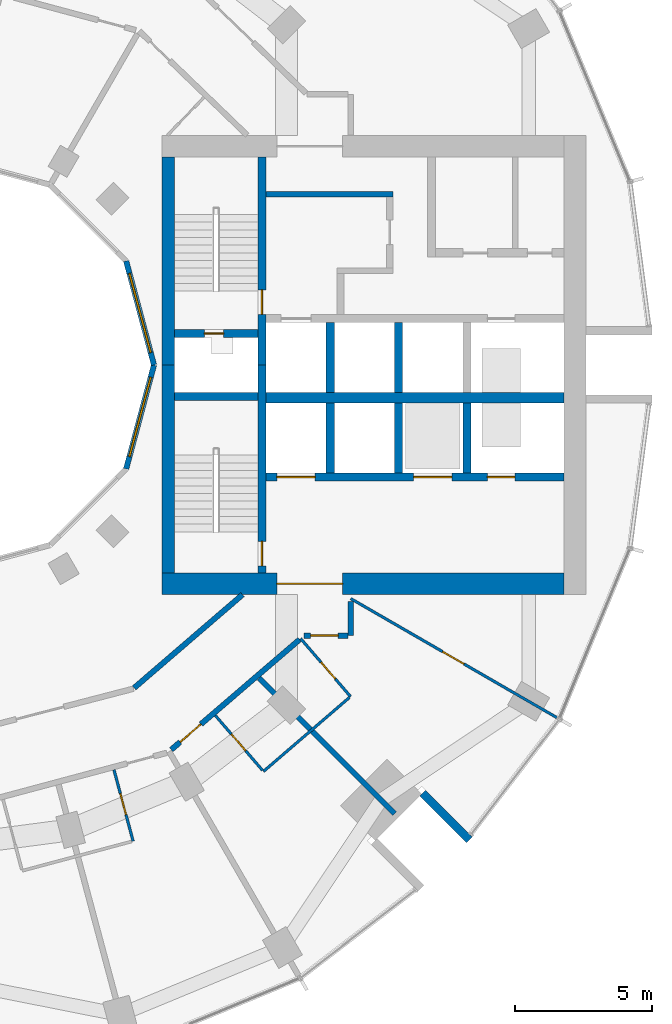
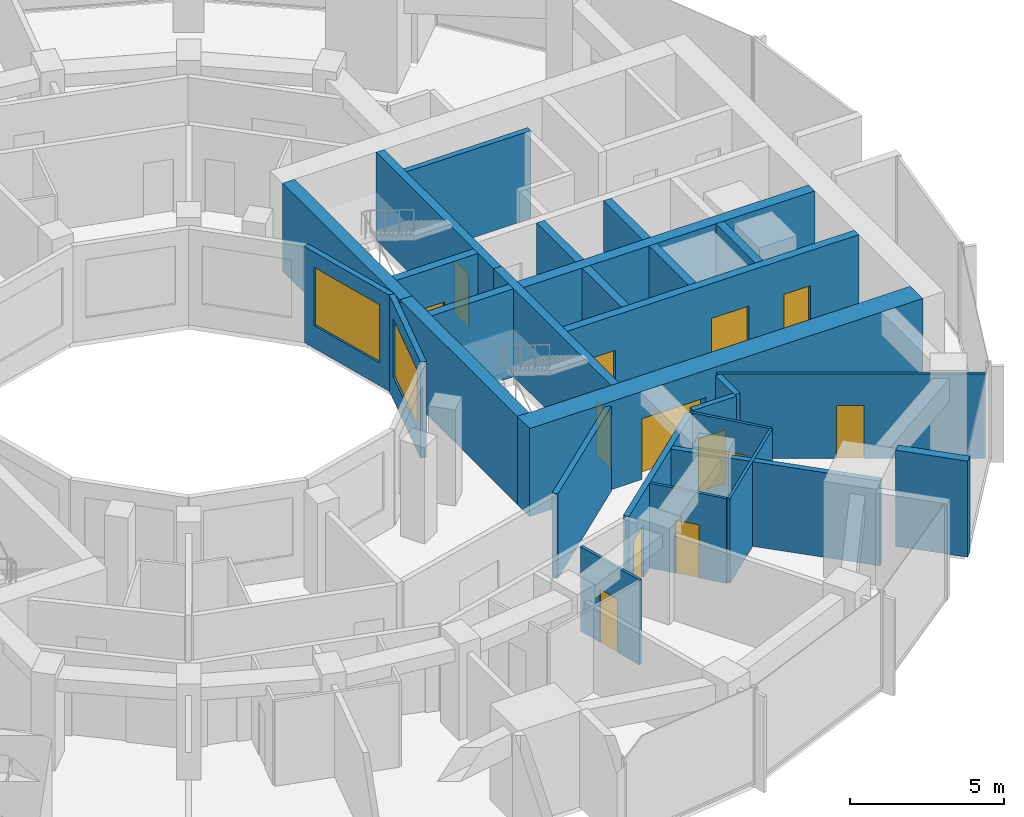
# One storey, part 10 of 15: 28 walls, 13 doors, 2 windows, 15 openings.
"""IFC4 building model written with IfcOpenShell, lengths in metres."""

from ifc_helpers import new_model, si_unit, direction, frame, frame_2d, origin, place, context, subcontext, project, spatial, rectangle, extrude, material, layer, layer_set, type_object, element, fill, save


model = new_model("IFC4")

# Units and contexts
model_context = context("Model", 3, precision=1e-05, world=origin(), true_north=direction((0.0, 1.0)))
body_context = subcontext(model_context, "Body", "Model", "MODEL_VIEW")
ifc_project = project(units=[si_unit("LENGTHUNIT", "METRE"), si_unit("AREAUNIT", "SQUARE_METRE"), si_unit("VOLUMEUNIT", "CUBIC_METRE"), si_unit("PLANEANGLEUNIT", "RADIAN"), si_unit("MASSUNIT", "GRAM", prefix="KILO")], contexts=[model_context])

# Site, building, storey
site_placement = place(None, origin())
site = spatial("IfcSite", under=ifc_project, at=site_placement, CompositionType="ELEMENT")
building_placement = place(site_placement, origin())
building = spatial("IfcBuilding", under=site, at=building_placement, Name="Torre Brocal", CompositionType="ELEMENT")
storey_placement = place(building_placement, frame((0.0, 0.0, 66.800048828125)))
storey = spatial("IfcBuildingStorey", under=building, at=storey_placement, Name="L15", CompositionType="ELEMENT", Elevation=66.800048828125)

# Wall
ifc_material_1 = material(Name="Concrete C80", Category="concrete")
ifc_layer_1 = layer(ifc_material_1, 0.199951171875)
ifc_layer_set_1 = layer_set([ifc_layer_1], Name="Concrete C80")
wall_type_1 = type_object("IfcWallType", Name="CORE WALL 200 C80", PredefinedType="SHEAR", material=ifc_layer_set_1)
wall_1_placement = place(storey_placement, frame((91.699951171875, 81.25, 0.0), z_axis=(0.0, 0.0, 1.0), x_axis=(1.0, 0.0, 0.0)))
element("IfcWall", 1, at=wall_1_placement, inside=storey, type_object=wall_type_1, Name="Wall CW200-80", PredefinedType="SHEAR", context=body_context, shape_type="SweptSolid", body=[
    extrude(rectangle(XDim=4.650146484375, YDim=0.199951171875, at=frame_2d((2.3251953125, 0.0))), origin(), (0.0, 0.0, 1.0), 3.47998046875),
])

# Wall, opening, door
ifc_material_2 = material(Name="Concrete C80", Category="concrete")
ifc_layer_2 = layer(ifc_material_2, 0.300048828125)
ifc_layer_set_2 = layer_set([ifc_layer_2], Name="Concrete C80")
wall_type_2 = type_object("IfcWallType", Name="CORE WALL 300 C80", PredefinedType="SHEAR", material=ifc_layer_set_2)
wall_2_placement = place(storey_placement, frame((91.550048828125, 75.0, 0.0), z_axis=(0.0, 0.0, 1.0), x_axis=(0.0, 1.0, 0.0)))
wall_2 = element("IfcWall", 2, at=wall_2_placement, inside=storey, type_object=wall_type_2, Name="Wall CW300-80", PredefinedType="SHEAR", context=body_context, shape_type="SweptSolid", body=[
    extrude(rectangle(XDim=7.60009765625, YDim=0.300048828125, at=frame_2d((3.800048828125, 0.0))), origin(), (0.0, 0.0, 1.0), 3.47998046875),
])
opening_1_placement = place(wall_2_placement, frame((1.85009765625, 0.0, 0.0)))
opening_1 = element("IfcOpeningElement", 3, at=opening_1_placement, cuts=wall_2, Name="Opening E-D02", PredefinedType="OPENING", context=body_context, shape_type="SweptSolid", body=[
    extrude(rectangle(XDim=0.89990234375, YDim=2.10009765625, at=frame_2d((0.449951171875, 1.050048828125))), frame((0.0, 0.159912109375, 0.0), z_axis=(0.0, -1.0, 0.0), x_axis=(1.0, 0.0, 0.0)), (0.0, 0.0, 1.0), 0.320068359375),
])
ifc_material_3 = material(Name="Steel A653", Category="steel")
door_type_1 = type_object("IfcDoorType", Name="STAIR DOOR FD120 900X2100", OperationType="SINGLE_SWING_RIGHT", PredefinedType="DOOR", material=ifc_material_3)
door_1_placement = place(opening_1_placement, origin())
door_1 = element("IfcDoor", 4, at=door_1_placement, inside=storey, type_object=door_type_1, Name="Door E-D02", OperationType="SINGLE_SWING_LEFT", OverallHeight=2.10009765625, OverallWidth=0.89990234375, PredefinedType="DOOR", context=body_context, shape_type="SweptSolid", body=[
    extrude(rectangle(XDim=0.89990234375, YDim=2.10009765625, at=frame_2d((0.449951171875, 1.050048828125))), frame((0.0, 0.02490234375, 0.0), z_axis=(0.0, -1.0, 0.0), x_axis=(1.0, 0.0, 0.0)), (0.0, 0.0, 1.0), 0.050048828125),
])
fill(opening_1, door_1)

wall_3_placement = place(storey_placement, frame((91.550048828125, 67.39990234375, 0.0), z_axis=(0.0, 0.0, 1.0), x_axis=(0.0, 1.0, 0.0)))
wall_3 = element("IfcWall", 5, at=wall_3_placement, inside=storey, type_object=wall_type_2, Name="Wall CW300-80", PredefinedType="SHEAR", context=body_context, shape_type="SweptSolid", body=[
    extrude(rectangle(XDim=7.60009765625, YDim=0.300048828125, at=frame_2d((3.800048828125, 0.0))), origin(), (0.0, 0.0, 1.0), 3.47998046875),
])
opening_2_placement = place(wall_3_placement, frame((0.25, 0.0, 0.0)))
opening_2 = element("IfcOpeningElement", 6, at=opening_2_placement, cuts=wall_3, Name="Opening E-D03", PredefinedType="OPENING", context=body_context, shape_type="SweptSolid", body=[
    extrude(rectangle(XDim=0.89990234375, YDim=2.10009765625, at=frame_2d((0.449951171875, 1.050048828125))), frame((0.0, 0.159912109375, 0.0), z_axis=(0.0, -1.0, 0.0), x_axis=(1.0, 0.0, 0.0)), (0.0, 0.0, 1.0), 0.320068359375),
])
door_2_placement = place(opening_2_placement, origin())
door_2 = element("IfcDoor", 7, at=door_2_placement, inside=storey, type_object=door_type_1, Name="Door E-D03", OperationType="SINGLE_SWING_LEFT", OverallHeight=2.10009765625, OverallWidth=0.89990234375, PredefinedType="DOOR", context=body_context, shape_type="SweptSolid", body=[
    extrude(rectangle(XDim=0.89990234375, YDim=2.10009765625, at=frame_2d((0.449951171875, 1.050048828125))), frame((0.0, 0.02490234375, 0.0), z_axis=(0.0, -1.0, 0.0), x_axis=(1.0, 0.0, 0.0)), (0.0, 0.0, 1.0), 0.050048828125),
])
fill(opening_2, door_2)

wall_4_placement = place(storey_placement, frame((88.35009765625, 76.14990234375, 0.0), z_axis=(0.0, 0.0, 1.0), x_axis=(1.0, 0.0, 0.0)))
wall_4 = element("IfcWall", 8, at=wall_4_placement, inside=storey, type_object=wall_type_2, Name="Wall CW300-80", PredefinedType="SHEAR", context=body_context, shape_type="SweptSolid", body=[
    extrude(rectangle(XDim=3.0498046875, YDim=0.300048828125, at=frame_2d((1.52490234375, 0.0))), origin(), (0.0, 0.0, 1.0), 3.47998046875),
])
opening_3_placement = place(wall_4_placement, frame((1.10009765625, 0.0, 0.0)))
opening_3 = element("IfcOpeningElement", 9, at=opening_3_placement, cuts=wall_4, Name="Opening E-D01", PredefinedType="OPENING", context=body_context, shape_type="SweptSolid", body=[
    extrude(rectangle(XDim=0.699951171875, YDim=2.0, at=frame_2d((0.35009765625, 1.0))), frame((0.0, 0.159912109375, 0.0), z_axis=(0.0, -1.0, 0.0), x_axis=(1.0, 0.0, 0.0)), (0.0, 0.0, 1.0), 0.320068359375),
])
ifc_material_4 = material(Name="Steel A653", Category="steel")
door_type_2 = type_object("IfcDoorType", Name="RISER DOOR FD120 700X2000", OperationType="SINGLE_SWING_LEFT", PredefinedType="DOOR", material=ifc_material_4)
door_3_placement = place(opening_3_placement, frame((0.699951171875, 0.0, 0.0), z_axis=(0.0, 0.0, 1.0), x_axis=(-1.0, 0.0, 0.0)))
door_3 = element("IfcDoor", 10, at=door_3_placement, inside=storey, type_object=door_type_2, Name="Door E-D01", OperationType="SINGLE_SWING_RIGHT", OverallHeight=2.0, OverallWidth=0.699951171875, PredefinedType="DOOR", context=body_context, shape_type="SweptSolid", body=[
    extrude(rectangle(XDim=0.699951171875, YDim=2.0, at=frame_2d((0.35009765625, 1.0))), frame((0.0, 0.02490234375, 0.0), z_axis=(0.0, -1.0, 0.0), x_axis=(1.0, 0.0, 0.0)), (0.0, 0.0, 1.0), 0.050048828125),
])
fill(opening_3, door_3)

# Wall
wall_5_placement = place(storey_placement, frame((88.35009765625, 73.85009765625, 0.0), z_axis=(0.0, 0.0, 1.0), x_axis=(1.0, 0.0, 0.0)))
element("IfcWall", 11, at=wall_5_placement, inside=storey, type_object=wall_type_2, Name="Wall CW300-80", PredefinedType="SHEAR", context=body_context, shape_type="SweptSolid", body=[
    extrude(rectangle(XDim=3.0498046875, YDim=0.300048828125, at=frame_2d((1.52490234375, 0.0))), origin(), (0.0, 0.0, 1.0), 3.47998046875),
])

# Wall, openings, doors
wall_6_placement = place(storey_placement, frame((91.699951171875, 70.89990234375, 0.0), z_axis=(0.0, 0.0, 1.0), x_axis=(1.0, 0.0, 0.0)))
wall_6 = element("IfcWall", 12, at=wall_6_placement, inside=storey, type_object=wall_type_2, Name="Wall CW300-80", PredefinedType="SHEAR", context=body_context, shape_type="SweptSolid", body=[
    extrude(rectangle(XDim=10.900146484375, YDim=0.300048828125, at=frame_2d((5.4501953125, 0.0))), origin(), (0.0, 0.0, 1.0), 3.47998046875),
])
opening_4_placement = place(wall_6_placement, frame((0.39990234375, 0.0, 0.0)))
opening_4 = element("IfcOpeningElement", 13, at=opening_4_placement, cuts=wall_6, Name="Opening LD14", PredefinedType="OPENING", context=body_context, shape_type="SweptSolid", body=[
    extrude(rectangle(XDim=1.39990234375, YDim=2.10009765625, at=frame_2d((0.699951171875, 1.050048828125))), frame((0.0, 0.159912109375, 0.0), z_axis=(0.0, -1.0, 0.0), x_axis=(1.0, 0.0, 0.0)), (0.0, 0.0, 1.0), 0.320068359375),
])
opening_5_placement = place(wall_6_placement, frame((5.39990234375, 0.0, 0.0)))
opening_5 = element("IfcOpeningElement", 14, at=opening_5_placement, cuts=wall_6, Name="Opening LD14", PredefinedType="OPENING", context=body_context, shape_type="SweptSolid", body=[
    extrude(rectangle(XDim=1.39990234375, YDim=2.10009765625, at=frame_2d((0.699951171875, 1.050048828125))), frame((0.0, 0.159912109375, 0.0), z_axis=(0.0, -1.0, 0.0), x_axis=(1.0, 0.0, 0.0)), (0.0, 0.0, 1.0), 0.320068359375),
])
opening_6_placement = place(wall_6_placement, frame((8.10009765625, 0.0, 0.0)))
opening_6 = element("IfcOpeningElement", 15, at=opening_6_placement, cuts=wall_6, Name="Opening LD10", PredefinedType="OPENING", context=body_context, shape_type="SweptSolid", body=[
    extrude(rectangle(XDim=1.0, YDim=2.10009765625, at=frame_2d((0.5, 1.050048828125))), frame((0.0, 0.159912109375, 0.0), z_axis=(0.0, -1.0, 0.0), x_axis=(1.0, 0.0, 0.0)), (0.0, 0.0, 1.0), 0.320068359375),
])
ifc_material_5 = material(Name="Stainless steel AISI 316", Category="steel")
door_type_3 = type_object("IfcDoorType", Name="LIFT LANDING DOOR 1000X2100", OperationType="DOUBLE_DOOR_SLIDING", PredefinedType="DOOR", material=ifc_material_5)
door_4_placement = place(opening_6_placement, origin())
door_4 = element("IfcDoor", 16, at=door_4_placement, inside=storey, type_object=door_type_3, Name="Door LD10", OperationType="DOUBLE_DOOR_SLIDING", OverallHeight=2.10009765625, OverallWidth=1.0, PredefinedType="DOOR", context=body_context, shape_type="SweptSolid", body=[
    extrude(rectangle(XDim=1.0, YDim=2.10009765625, at=frame_2d((0.5, 1.050048828125))), frame((0.0, 0.02490234375, 0.0), z_axis=(0.0, -1.0, 0.0), x_axis=(1.0, 0.0, 0.0)), (0.0, 0.0, 1.0), 0.050048828125),
])
fill(opening_6, door_4)
ifc_material_6 = material(Name="Stainless steel AISI 316", Category="steel")
door_type_4 = type_object("IfcDoorType", Name="LIFT LANDING DOOR 1400X2100", OperationType="DOUBLE_DOOR_SLIDING", PredefinedType="DOOR", material=ifc_material_6)
door_5_placement = place(opening_4_placement, origin())
door_5 = element("IfcDoor", 17, at=door_5_placement, inside=storey, type_object=door_type_4, Name="Door LD14", OperationType="DOUBLE_DOOR_SLIDING", OverallHeight=2.10009765625, OverallWidth=1.39990234375, PredefinedType="DOOR", context=body_context, shape_type="SweptSolid", body=[
    extrude(rectangle(XDim=1.39990234375, YDim=2.10009765625, at=frame_2d((0.699951171875, 1.050048828125))), frame((0.0, 0.02490234375, 0.0), z_axis=(0.0, -1.0, 0.0), x_axis=(1.0, 0.0, 0.0)), (0.0, 0.0, 1.0), 0.050048828125),
])
fill(opening_4, door_5)
door_6_placement = place(opening_5_placement, origin())
door_6 = element("IfcDoor", 18, at=door_6_placement, inside=storey, type_object=door_type_4, Name="Door LD14", OperationType="DOUBLE_DOOR_SLIDING", OverallHeight=2.10009765625, OverallWidth=1.39990234375, PredefinedType="DOOR", context=body_context, shape_type="SweptSolid", body=[
    extrude(rectangle(XDim=1.39990234375, YDim=2.10009765625, at=frame_2d((0.699951171875, 1.050048828125))), frame((0.0, 0.02490234375, 0.0), z_axis=(0.0, -1.0, 0.0), x_axis=(1.0, 0.0, 0.0)), (0.0, 0.0, 1.0), 0.050048828125),
])
fill(opening_5, door_6)

# Walls
for number, where, z_axis, x_axis, name in (
    (19, (94.050048828125, 74.0, 0.0), (0.0, 0.0, 1.0), (0.0, 1.0, 0.0), "Wall CW300-80"),
    (20, (96.550048828125, 74.0, 0.0), (0.0, 0.0, 1.0), (0.0, 1.0, 0.0), "Wall CW300-80"),
    (21, (94.050048828125, 71.050048828125, 0.0), (0.0, 0.0, 1.0), (0.0, 1.0, 0.0), "Wall CW300-80"),
    (22, (96.550048828125, 71.050048828125, 0.0), (0.0, 0.0, 1.0), (0.0, 1.0, 0.0), "Wall CW300-80"),
    (23, (99.050048828125, 71.050048828125, 0.0), (0.0, 0.0, 1.0), (0.0, 1.0, 0.0), "Wall CW300-80"),
):
    element("IfcWall", number, at=place(storey_placement, frame(where, z_axis=z_axis, x_axis=x_axis)), inside=storey, type_object=wall_type_2, Name=name, PredefinedType="SHEAR", context=body_context, shape_type="SweptSolid", body=[
        extrude(rectangle(XDim=2.550048828125, YDim=0.300048828125, at=frame_2d((1.27490234375, 0.0))), origin(), (0.0, 0.0, 1.0), 3.47998046875),
    ])
ifc_material_7 = material(Name="Concrete C80", Category="concrete")
ifc_layer_3 = layer(ifc_material_7, 0.39990234375)
ifc_layer_set_3 = layer_set([ifc_layer_3], Name="Concrete C80")
wall_type_3 = type_object("IfcWallType", Name="CORE WALL 400 C80", PredefinedType="SHEAR", material=ifc_layer_set_3)
wall_7_placement = place(storey_placement, frame((91.699951171875, 73.800048828125, 0.0), z_axis=(0.0, 0.0, 1.0), x_axis=(1.0, 0.0, 0.0)))
element("IfcWall", 24, at=wall_7_placement, inside=storey, type_object=wall_type_3, Name="Wall CW400-80", PredefinedType="SHEAR", context=body_context, shape_type="SweptSolid", body=[
    extrude(rectangle(XDim=10.900146484375, YDim=0.39990234375, at=frame_2d((5.4501953125, 0.0))), origin(), (0.0, 0.0, 1.0), 3.47998046875),
])
ifc_material_8 = material(Name="Concrete C80", Category="concrete")
ifc_layer_4 = layer(ifc_material_8, 0.449951171875)
ifc_layer_set_4 = layer_set([ifc_layer_4], Name="Concrete C80")
wall_type_4 = type_object("IfcWallType", Name="CORE WALL 450 C80", PredefinedType="SHEAR", material=ifc_layer_set_4)
for number, where, z_axis, x_axis, name in (
    (25, (88.125, 75.0, 0.0), (0.0, 0.0, 1.0), (0.0, 1.0, 0.0), "Wall CW450-80"),
    (26, (88.125, 67.39990234375, 0.0), (0.0, 0.0, 1.0), (0.0, 1.0, 0.0), "Wall CW450-80"),
):
    element("IfcWall", number, at=place(storey_placement, frame(where, z_axis=z_axis, x_axis=x_axis)), inside=storey, type_object=wall_type_4, Name=name, PredefinedType="SHEAR", context=body_context, shape_type="SweptSolid", body=[
        extrude(rectangle(XDim=7.60009765625, YDim=0.449951171875, at=frame_2d((3.800048828125, 0.0))), origin(), (0.0, 0.0, 1.0), 3.47998046875),
    ])

# Wall, opening, door
ifc_material_9 = material(Name="Concrete C80", Category="concrete")
ifc_layer_5 = layer(ifc_material_9, 0.800048828125)
ifc_layer_set_5 = layer_set([ifc_layer_5], Name="Concrete C80")
wall_type_5 = type_object("IfcWallType", Name="CORE WALL 800 C80", PredefinedType="SHEAR", material=ifc_layer_set_5)
wall_8_placement = place(storey_placement, frame((87.89990234375, 67.0, 0.0), z_axis=(0.0, 0.0, 1.0), x_axis=(1.0, 0.0, 0.0)))
wall_8 = element("IfcWall", 27, at=wall_8_placement, inside=storey, type_object=wall_type_5, Name="Wall CW800-80", PredefinedType="SHEAR", context=body_context, shape_type="SweptSolid", body=[
    extrude(rectangle(XDim=14.7001953125, YDim=0.800048828125, at=frame_2d((7.35009765625, 0.0))), origin(), (0.0, 0.0, 1.0), 3.47998046875),
])
opening_7_placement = place(wall_8_placement, frame((4.199951171875, 0.0, 0.0)))
opening_7 = element("IfcOpeningElement", 28, at=opening_7_placement, cuts=wall_8, Name="Opening E-D27", PredefinedType="OPENING", context=body_context, shape_type="SweptSolid", body=[
    extrude(rectangle(XDim=2.39990234375, YDim=2.39990234375, at=frame_2d((1.199951171875, 1.199951171875))), frame((0.0, 0.409912109375, 0.0), z_axis=(0.0, -1.0, 0.0), x_axis=(1.0, 0.0, 0.0)), (0.0, 0.0, 1.0), 0.820068359375),
])
ifc_material_10 = material(Name="Steel A653", Category="steel")
door_type_5 = type_object("IfcDoorType", Name="DOUBLE FIRE DOOR FD90 2400X2400", OperationType="DOUBLE_DOOR_SINGLE_SWING", PredefinedType="DOOR", material=ifc_material_10)
door_7_placement = place(opening_7_placement, origin())
door_7 = element("IfcDoor", 29, at=door_7_placement, inside=storey, type_object=door_type_5, Name="Door E-D27", OperationType="DOUBLE_DOOR_SINGLE_SWING", OverallHeight=2.39990234375, OverallWidth=2.39990234375, PredefinedType="DOOR", context=body_context, shape_type="SweptSolid", body=[
    extrude(rectangle(XDim=2.39990234375, YDim=2.39990234375, at=frame_2d((1.199951171875, 1.199951171875))), frame((0.0, 0.02490234375, 0.0), z_axis=(0.0, -1.0, 0.0), x_axis=(1.0, 0.0, 0.0)), (0.0, 0.0, 1.0), 0.050048828125),
])
fill(opening_7, door_7)

# Wall
ifc_material_11 = material(Name="Concrete C80", Category="concrete")
ifc_layer_6 = layer(ifc_material_11, 0.300048828125)
ifc_layer_set_6 = layer_set([ifc_layer_6], Name="Concrete C80")
wall_type_6 = type_object("IfcWallType", Name="NOTCH RETURN WALL 300 C80", PredefinedType="NOTDEFINED", material=ifc_layer_set_6)
wall_9_placement = place(storey_placement, frame((97.43017578125, 59.337646484375, 0.0), z_axis=(0.0, 0.0, 1.0), x_axis=(0.707106781187, -0.707106781187, 0.0)))
element("IfcWall", 30, at=wall_9_placement, inside=storey, type_object=wall_type_6, Name="NOTCH RETURN WALL", PredefinedType="NOTDEFINED", context=body_context, shape_type="SweptSolid", body=[
    extrude(rectangle(XDim=2.415771484375, YDim=0.300048828125, at=frame_2d((1.2080078125, 0.0))), origin(), (0.0, 0.0, 1.0), 3.800048828125),
])

# Wall, opening, door
ifc_material_12 = material(Name="Gypsum board", Category="Gypsum")
ifc_layer_7 = layer(ifc_material_12, 0.10009765625)
ifc_layer_set_7 = layer_set([ifc_layer_7], Name="Gypsum board")
wall_type_7 = type_object("IfcWallType", Name="PARTITION 100", PredefinedType="PARTITIONING", material=ifc_layer_set_7)
wall_10_placement = place(storey_placement, frame((86.139892578125, 60.196044921875, 0.0), z_axis=(0.0, 0.0, 1.0), x_axis=(0.258945475746, -0.965891940432, 0.0)))
wall_10 = element("IfcWall", 31, at=wall_10_placement, inside=storey, type_object=wall_type_7, Name="BATHROOM WALL", PredefinedType="PARTITIONING", context=body_context, shape_type="SweptSolid", body=[
    extrude(rectangle(XDim=2.7001953125, YDim=0.10009765625, at=frame_2d((1.35009765625, 0.0))), origin(), (0.0, 0.0, 1.0), 3.349853515625),
])
opening_8_placement = place(wall_10_placement, frame((0.89990234375, 0.0, 0.0)))
opening_8 = element("IfcOpeningElement", 32, at=opening_8_placement, cuts=wall_10, Name="Opening H04-D26", PredefinedType="OPENING", context=body_context, shape_type="SweptSolid", body=[
    extrude(rectangle(XDim=0.800048828125, YDim=2.10009765625, at=frame_2d((0.39990234375, 1.050048828125))), frame((0.0, 0.06005859375, 0.0), z_axis=(0.0, -1.0, 0.0), x_axis=(1.0, 0.0, 0.0)), (0.0, 0.0, 1.0), 0.1201171875),
])
ifc_material_13 = material(Name="Timber", Category="wood")
door_type_6 = type_object("IfcDoorType", Name="BATHROOM DOOR 800X2100", OperationType="SINGLE_SWING_LEFT", PredefinedType="DOOR", material=ifc_material_13)
door_8_placement = place(opening_8_placement, frame((0.800048828125, 0.0, 0.0), z_axis=(0.0, 0.0, 1.0), x_axis=(-1.0, 0.0, 0.0)))
door_8 = element("IfcDoor", 33, at=door_8_placement, inside=storey, type_object=door_type_6, Name="H04-D26", OperationType="SINGLE_SWING_RIGHT", OverallHeight=2.10009765625, OverallWidth=0.800048828125, PredefinedType="DOOR", context=body_context, shape_type="SweptSolid", body=[
    extrude(rectangle(XDim=0.800048828125, YDim=2.10009765625, at=frame_2d((0.39990234375, 1.050048828125))), frame((0.0, 0.02490234375, 0.0), z_axis=(0.0, -1.0, 0.0), x_axis=(1.0, 0.0, 0.0)), (0.0, 0.0, 1.0), 0.050048828125),
])
fill(opening_8, door_8)

wall_11_placement = place(storey_placement, frame((89.846435546875, 62.181884765625, 0.0), z_axis=(0.0, 0.0, 1.0), x_axis=(0.652095405055, -0.758136915541, 0.0)))
wall_11 = element("IfcWall", 34, at=wall_11_placement, inside=storey, type_object=wall_type_7, Name="BATHROOM WALL", PredefinedType="PARTITIONING", context=body_context, shape_type="SweptSolid", body=[
    extrude(rectangle(XDim=2.64990234375, YDim=0.10009765625, at=frame_2d((1.324951171875, 0.0))), origin(), (0.0, 0.0, 1.0), 3.349853515625),
])
opening_9_placement = place(wall_11_placement, frame((0.899658203125, 0.0, 0.0)))
opening_9 = element("IfcOpeningElement", 35, at=opening_9_placement, cuts=wall_11, Name="Opening H04-D24", PredefinedType="OPENING", context=body_context, shape_type="SweptSolid", body=[
    extrude(rectangle(XDim=0.800048828125, YDim=2.10009765625, at=frame_2d((0.39990234375, 1.050048828125))), frame((0.0, 0.06005859375, 0.0), z_axis=(0.0, -1.0, 0.0), x_axis=(1.0, 0.0, 0.0)), (0.0, 0.0, 1.0), 0.1201171875),
])
door_9_placement = place(opening_9_placement, origin())
door_9 = element("IfcDoor", 36, at=door_9_placement, inside=storey, type_object=door_type_6, Name="H04-D24", OperationType="SINGLE_SWING_LEFT", OverallHeight=2.10009765625, OverallWidth=0.800048828125, PredefinedType="DOOR", context=body_context, shape_type="SweptSolid", body=[
    extrude(rectangle(XDim=0.800048828125, YDim=2.10009765625, at=frame_2d((0.39990234375, 1.050048828125))), frame((0.0, 0.02490234375, 0.0), z_axis=(0.0, -1.0, 0.0), x_axis=(1.0, 0.0, 0.0)), (0.0, 0.0, 1.0), 0.050048828125),
])
fill(opening_9, door_9)

# Wall
wall_12_placement = place(storey_placement, frame((91.60693359375, 60.135009765625, 0.0), z_axis=(0.0, 0.0, 1.0), x_axis=(0.758121792225, 0.65211298726, 0.0)))
element("IfcWall", 37, at=wall_12_placement, inside=storey, type_object=wall_type_7, Name="BATHROOM WALL", PredefinedType="PARTITIONING", context=body_context, shape_type="SweptSolid", body=[
    extrude(rectangle(XDim=4.150146484375, YDim=0.10009765625, at=frame_2d((2.0751953125, 0.0))), origin(), (0.0, 0.0, 1.0), 3.349853515625),
])

# Wall, opening, door
wall_13_placement = place(storey_placement, frame((92.965087890625, 64.996826171875, 0.0), z_axis=(0.0, 0.0, 1.0), x_axis=(0.652104424393, -0.758129157655, 0.0)))
wall_13 = element("IfcWall", 38, at=wall_13_placement, inside=storey, type_object=wall_type_7, Name="BATHROOM WALL", PredefinedType="PARTITIONING", context=body_context, shape_type="SweptSolid", body=[
    extrude(rectangle(XDim=2.800048828125, YDim=0.10009765625, at=frame_2d((1.39990234375, 0.0))), origin(), (0.0, 0.0, 1.0), 3.349853515625),
])
opening_10_placement = place(wall_13_placement, frame((1.14990234375, 0.0, 0.0)))
opening_10 = element("IfcOpeningElement", 39, at=opening_10_placement, cuts=wall_13, Name="Opening H04-D21", PredefinedType="OPENING", context=body_context, shape_type="SweptSolid", body=[
    extrude(rectangle(XDim=0.800048828125, YDim=2.10009765625, at=frame_2d((0.39990234375, 1.050048828125))), frame((0.0, 0.06005859375, 0.0), z_axis=(0.0, -1.0, 0.0), x_axis=(1.0, 0.0, 0.0)), (0.0, 0.0, 1.0), 0.1201171875),
])
door_10_placement = place(opening_10_placement, frame((0.800048828125, 0.0, 0.0), z_axis=(0.0, 0.0, 1.0), x_axis=(-1.0, 0.0, 0.0)))
door_10 = element("IfcDoor", 40, at=door_10_placement, inside=storey, type_object=door_type_6, Name="H04-D21", OperationType="SINGLE_SWING_LEFT", OverallHeight=2.10009765625, OverallWidth=0.800048828125, PredefinedType="DOOR", context=body_context, shape_type="SweptSolid", body=[
    extrude(rectangle(XDim=0.800048828125, YDim=2.10009765625, at=frame_2d((0.39990234375, 1.050048828125))), frame((0.0, 0.02490234375, 0.0), z_axis=(0.0, -1.0, 0.0), x_axis=(1.0, 0.0, 0.0)), (0.0, 0.0, 1.0), 0.050048828125),
])
fill(opening_10, door_10)

wall_14_placement = place(storey_placement, frame((94.800048828125, 66.455078125, 0.0), z_axis=(0.0, 0.0, 1.0), x_axis=(0.86602264145, -0.500004784474, 0.0)))
wall_14 = element("IfcWall", 41, at=wall_14_placement, inside=storey, type_object=wall_type_7, Name="ROOM PARTITION", PredefinedType="PARTITIONING", context=body_context, shape_type="SweptSolid", body=[
    extrude(rectangle(XDim=8.7080078125, YDim=0.10009765625, at=frame_2d((4.35400390625, 0.0))), origin(), (0.0, 0.0, 1.0), 3.349853515625),
])
opening_11_placement = place(wall_14_placement, frame((3.87890625, 0.0, 0.0)))
opening_11 = element("IfcOpeningElement", 42, at=opening_11_placement, cuts=wall_14, Name="Opening H04-D22", PredefinedType="OPENING", context=body_context, shape_type="SweptSolid", body=[
    extrude(rectangle(XDim=0.89990234375, YDim=2.10009765625, at=frame_2d((0.449951171875, 1.050048828125))), frame((0.0, 0.06005859375, 0.0), z_axis=(0.0, -1.0, 0.0), x_axis=(1.0, 0.0, 0.0)), (0.0, 0.0, 1.0), 0.1201171875),
])
ifc_material_14 = material(Name="Timber", Category="wood")
door_type_7 = type_object("IfcDoorType", Name="ROOM DOOR 900X2100", OperationType="SINGLE_SWING_LEFT", PredefinedType="DOOR", material=ifc_material_14)
door_11_placement = place(opening_11_placement, origin())
door_11 = element("IfcDoor", 43, at=door_11_placement, inside=storey, type_object=door_type_7, Name="H04-D22", OperationType="SINGLE_SWING_LEFT", OverallHeight=2.10009765625, OverallWidth=0.89990234375, PredefinedType="DOOR", context=body_context, shape_type="SweptSolid", body=[
    extrude(rectangle(XDim=0.89990234375, YDim=2.10009765625, at=frame_2d((0.449951171875, 1.050048828125))), frame((0.0, 0.02490234375, 0.0), z_axis=(0.0, -1.0, 0.0), x_axis=(1.0, 0.0, 0.0)), (0.0, 0.0, 1.0), 0.050048828125),
])
fill(opening_11, door_11)

# Wall
ifc_material_15 = material(Name="Gypsum board", Category="Gypsum")
ifc_layer_8 = layer(ifc_material_15, 0.199951171875)
ifc_layer_set_8 = layer_set([ifc_layer_8], Name="Gypsum board")
wall_type_8 = type_object("IfcWallType", Name="PARTITION 200 EI60", PredefinedType="PARTITIONING", material=ifc_layer_set_8)
wall_15_placement = place(storey_placement, frame((86.876953125, 63.18896484375, 0.0), z_axis=(0.0, 0.0, 1.0), x_axis=(0.758088707506, 0.652151448325, 0.0)))
element("IfcWall", 44, at=wall_15_placement, inside=storey, type_object=wall_type_8, Name="GUESTROOM CORRIDOR WALL", PredefinedType="PARTITIONING", context=body_context, shape_type="SweptSolid", body=[
    extrude(rectangle(XDim=5.22900390625, YDim=0.199951171875, at=frame_2d((2.614501953125, 0.0))), origin(), (0.0, 0.0, 1.0), 3.349853515625),
])

# Wall, opening, door
wall_16_placement = place(storey_placement, frame((88.234619140625, 60.931396484375, 0.0), z_axis=(0.0, 0.0, 1.0), x_axis=(0.758799498714, 0.651324282329, 0.0)))
wall_16 = element("IfcWall", 45, at=wall_16_placement, inside=storey, type_object=wall_type_8, Name="GUESTROOM CORRIDOR WALL", PredefinedType="PARTITIONING", context=body_context, shape_type="SweptSolid", body=[
    extrude(rectangle(XDim=6.185546875, YDim=0.199951171875, at=frame_2d((3.0927734375, 0.0))), origin(), (0.0, 0.0, 1.0), 3.349853515625),
])
opening_12_placement = place(wall_16_placement, frame((0.430419921875, 0.0, 0.0)))
opening_12 = element("IfcOpeningElement", 46, at=opening_12_placement, cuts=wall_16, Name="Opening H04-D23", PredefinedType="OPENING", context=body_context, shape_type="SweptSolid", body=[
    extrude(rectangle(XDim=1.0, YDim=2.10009765625, at=frame_2d((0.5, 1.050048828125))), frame((0.0, 0.10986328125, 0.0), z_axis=(0.0, -1.0, 0.0), x_axis=(1.0, 0.0, 0.0)), (0.0, 0.0, 1.0), 0.219970703125),
])
ifc_material_16 = material(Name="Timber", Category="wood")
door_type_8 = type_object("IfcDoorType", Name="FLAT ENTRY DOOR FD30S 1000X2100", OperationType="SINGLE_SWING_RIGHT", PredefinedType="DOOR", material=ifc_material_16)
door_12_placement = place(opening_12_placement, frame((1.0, 0.0, 0.0), z_axis=(0.0, 0.0, 1.0), x_axis=(-1.0, 0.0, 0.0)))
door_12 = element("IfcDoor", 47, at=door_12_placement, inside=storey, type_object=door_type_8, Name="H04-D23", OperationType="SINGLE_SWING_RIGHT", OverallHeight=2.10009765625, OverallWidth=1.0, PredefinedType="DOOR", context=body_context, shape_type="SweptSolid", body=[
    extrude(rectangle(XDim=1.0, YDim=2.10009765625, at=frame_2d((0.5, 1.050048828125))), frame((0.0, 0.02490234375, 0.0), z_axis=(0.0, -1.0, 0.0), x_axis=(1.0, 0.0, 0.0)), (0.0, 0.0, 1.0), 0.050048828125),
])
fill(opening_12, door_12)

# Wall
wall_17_placement = place(storey_placement, frame((91.4482421875, 63.546875, 0.0), z_axis=(0.0, 0.0, 1.0), x_axis=(0.706984810649, -0.707228730688, 0.0)))
element("IfcWall", 48, at=wall_17_placement, inside=storey, type_object=wall_type_8, Name="BATHROOM WALL", PredefinedType="PARTITIONING", context=body_context, shape_type="SweptSolid", body=[
    extrude(rectangle(XDim=7.00634765625, YDim=0.199951171875, at=frame_2d((3.503173828125, 0.0))), origin(), (0.0, 0.0, 1.0), 3.349853515625),
])

# Wall, opening, door
wall_18_placement = place(storey_placement, frame((93.0849609375, 65.10009765625, 0.0), z_axis=(0.0, 0.0, 1.0), x_axis=(1.0, 0.0, 0.0)))
wall_18 = element("IfcWall", 49, at=wall_18_placement, inside=storey, type_object=wall_type_8, Name="GUESTROOM CORRIDOR WALL", PredefinedType="PARTITIONING", context=body_context, shape_type="SweptSolid", body=[
    extrude(rectangle(XDim=1.614990234375, YDim=0.199951171875, at=frame_2d((0.8076171875, 0.0))), origin(), (0.0, 0.0, 1.0), 3.349853515625),
])
opening_13_placement = place(wall_18_placement, frame((0.25, 0.0, 0.0)))
opening_13 = element("IfcOpeningElement", 50, at=opening_13_placement, cuts=wall_18, Name="Opening H04-D20", PredefinedType="OPENING", context=body_context, shape_type="SweptSolid", body=[
    extrude(rectangle(XDim=1.0, YDim=2.10009765625, at=frame_2d((0.5, 1.050048828125))), frame((0.0, 0.10986328125, 0.0), z_axis=(0.0, -1.0, 0.0), x_axis=(1.0, 0.0, 0.0)), (0.0, 0.0, 1.0), 0.219970703125),
])
door_13_placement = place(opening_13_placement, frame((1.0, 0.0, 0.0), z_axis=(0.0, 0.0, 1.0), x_axis=(-1.0, 0.0, 0.0)))
door_13 = element("IfcDoor", 51, at=door_13_placement, inside=storey, type_object=door_type_8, Name="H04-D20", OperationType="SINGLE_SWING_LEFT", OverallHeight=2.10009765625, OverallWidth=1.0, PredefinedType="DOOR", context=body_context, shape_type="SweptSolid", body=[
    extrude(rectangle(XDim=1.0, YDim=2.10009765625, at=frame_2d((0.5, 1.050048828125))), frame((0.0, 0.02490234375, 0.0), z_axis=(0.0, -1.0, 0.0), x_axis=(1.0, 0.0, 0.0)), (0.0, 0.0, 1.0), 0.050048828125),
])
fill(opening_13, door_13)

# Wall
wall_19_placement = place(storey_placement, frame((94.800048828125, 65.10009765625, 0.0), z_axis=(0.0, 0.0, 1.0), x_axis=(0.0, 1.0, 0.0)))
element("IfcWall", 52, at=wall_19_placement, inside=storey, type_object=wall_type_8, Name="GUESTROOM CORRIDOR WALL", PredefinedType="PARTITIONING", context=body_context, shape_type="SweptSolid", body=[
    extrude(rectangle(XDim=1.25, YDim=0.199951171875, at=frame_2d((0.625, 0.0))), origin(), (0.0, 0.0, 1.0), 3.349853515625),
])

# Wall, opening, window
ifc_material_17 = material(Name="Concrete C40", Category="concrete")
ifc_layer_9 = layer(ifc_material_17, 0.199951171875)
ifc_layer_set_9 = layer_set([ifc_layer_9], Name="Concrete C40")
wall_type_9 = type_object("IfcWallType", Name="WELL FACADE WALL 200", PredefinedType="NOTDEFINED", material=ifc_layer_set_9)
wall_20_placement = place(storey_placement, frame((87.603515625, 75.0, 0.0), z_axis=(0.0, 0.0, 1.0), x_axis=(-0.258789828301, 0.965933654434, 0.0)))
wall_20 = element("IfcWall", 53, at=wall_20_placement, inside=storey, type_object=wall_type_9, Name="WELL FACADE WALL", PredefinedType="NOTDEFINED", context=body_context, shape_type="SweptSolid", body=[
    extrude(rectangle(XDim=3.935791015625, YDim=0.199951171875, at=frame_2d((1.9677734375, 0.0))), origin(), (0.0, 0.0, 1.0), 3.800048828125),
])
opening_14_placement = place(wall_20_placement, frame((0.468017578125, 0.0, 0.89990234375)))
opening_14 = element("IfcOpeningElement", 54, at=opening_14_placement, cuts=wall_20, Name="Opening W1", PredefinedType="OPENING", context=body_context, shape_type="SweptSolid", body=[
    extrude(rectangle(XDim=3.0, YDim=2.300048828125, at=frame_2d((1.5, 1.14990234375))), frame((0.0, 0.10986328125, 0.0), z_axis=(0.0, -1.0, 0.0), x_axis=(1.0, 0.0, 0.0)), (0.0, 0.0, 1.0), 0.219970703125),
])
ifc_material_18 = material(Name="Aluminium and glass", Category="aluminium")
window_type = type_object("IfcWindowType", Name="WELL WINDOW 3000X2300", PartitioningType="SINGLE_PANEL", PredefinedType="WINDOW", material=ifc_material_18)
window_1_placement = place(opening_14_placement, origin())
window_1 = element("IfcWindow", 55, at=window_1_placement, inside=storey, type_object=window_type, Name="WELL WINDOW 3000X2300", OverallHeight=2.300048828125, OverallWidth=3.0, PartitioningType="SINGLE_PANEL", PredefinedType="WINDOW", context=body_context, shape_type="SweptSolid", body=[
    extrude(rectangle(XDim=3.0, YDim=2.300048828125, at=frame_2d((1.5, 1.14990234375))), frame((0.0, 0.030029296875, 0.0), z_axis=(0.0, -1.0, 0.0), x_axis=(1.0, 0.0, 0.0)), (0.0, 0.0, 1.0), 0.06005859375),
])
fill(opening_14, window_1)

wall_21_placement = place(storey_placement, frame((86.5849609375, 71.1982421875, 0.0), z_axis=(0.0, 0.0, 1.0), x_axis=(0.258789828301, 0.965933654434, 0.0)))
wall_21 = element("IfcWall", 56, at=wall_21_placement, inside=storey, type_object=wall_type_9, Name="WELL FACADE WALL", PredefinedType="NOTDEFINED", context=body_context, shape_type="SweptSolid", body=[
    extrude(rectangle(XDim=3.935791015625, YDim=0.199951171875, at=frame_2d((1.9677734375, 0.0))), origin(), (0.0, 0.0, 1.0), 3.800048828125),
])
opening_15_placement = place(wall_21_placement, frame((0.468017578125, 0.0, 0.89990234375)))
opening_15 = element("IfcOpeningElement", 57, at=opening_15_placement, cuts=wall_21, Name="Opening W1", PredefinedType="OPENING", context=body_context, shape_type="SweptSolid", body=[
    extrude(rectangle(XDim=3.0, YDim=2.300048828125, at=frame_2d((1.5, 1.14990234375))), frame((0.0, 0.10986328125, 0.0), z_axis=(0.0, -1.0, 0.0), x_axis=(1.0, 0.0, 0.0)), (0.0, 0.0, 1.0), 0.219970703125),
])
window_2_placement = place(opening_15_placement, origin())
window_2 = element("IfcWindow", 58, at=window_2_placement, inside=storey, type_object=window_type, Name="WELL WINDOW 3000X2300", OverallHeight=2.300048828125, OverallWidth=3.0, PartitioningType="SINGLE_PANEL", PredefinedType="WINDOW", context=body_context, shape_type="SweptSolid", body=[
    extrude(rectangle(XDim=3.0, YDim=2.300048828125, at=frame_2d((1.5, 1.14990234375))), frame((0.0, 0.030029296875, 0.0), z_axis=(0.0, -1.0, 0.0), x_axis=(1.0, 0.0, 0.0)), (0.0, 0.0, 1.0), 0.06005859375),
])
fill(opening_15, window_2)

save(model, "model.ifc")
